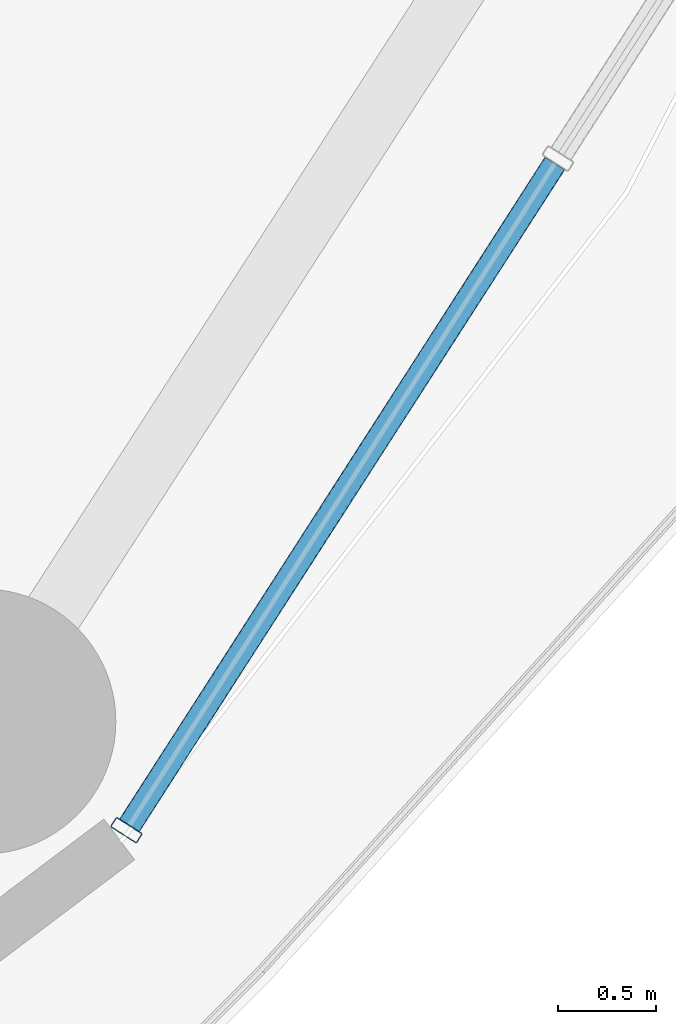
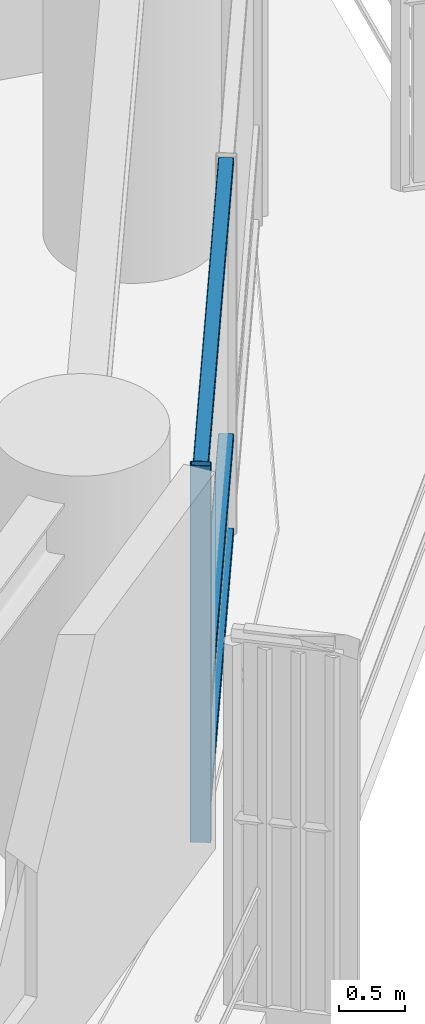
# One storey, part 12 of 35: 4 members, 1 element without a shape of its own.
"""IFC4 building model written with IfcOpenShell, lengths in metres."""

from ifc_helpers import new_model, si_unit, direction, frame, origin, origin_2d, place, context, subcontext, project, spatial, hollow_rectangle, extrude, material, layer, layer_set, material_profile, profile_set, type_object, element, aggregate, save


model = new_model("IFC4")

# Units and contexts
model_context = context("Model", 3, precision=1e-05, world=origin(), true_north=direction((0.0, 1.0)))
body_context = subcontext(model_context, "Body", "Model", "MODEL_VIEW")
ifc_project = project(units=[si_unit("LENGTHUNIT", "METRE"), si_unit("AREAUNIT", "SQUARE_METRE"), si_unit("VOLUMEUNIT", "CUBIC_METRE"), si_unit("PLANEANGLEUNIT", "RADIAN"), si_unit("MASSUNIT", "GRAM", prefix="KILO")], contexts=[model_context])

# Site, building, storey
site_placement = place(None, origin())
site = spatial("IfcSite", under=ifc_project, at=site_placement, CompositionType="ELEMENT")
building_placement = place(site_placement, origin())
building = spatial("IfcBuilding", under=site, at=building_placement, Name="Kelanora Arch Commons", CompositionType="ELEMENT")
storey_placement = place(building_placement, frame((0.0, 0.0, 121.35009765625)))
storey = spatial("IfcBuildingStorey", under=building, at=storey_placement, Name="L31", CompositionType="ELEMENT", Elevation=121.35009765625)

# Curtain wall, members
ifc_material_1 = material(Name="Terracotta ceramic-fritted low-E glass and aluminium", Category="masonry")
ifc_layer = layer(ifc_material_1, 0.159912109375)
ifc_layer_set = layer_set([ifc_layer], Name="Terracotta ceramic-fritted low-E glass and aluminium")
curtain_wall_type = type_object("IfcCurtainWallType", Name="CW-SYS-01", PredefinedType="NOTDEFINED", material=ifc_layer_set)
curtain_wall_placement = place(storey_placement, origin())
curtain_wall = element("IfcCurtainWall", 1, at=curtain_wall_placement, inside=storey, type_object=curtain_wall_type, Name="Unitised Curtain Wall L31-B16", PredefinedType="NOTDEFINED")
ifc_material_2 = material(Name="Powder-coated aluminium terracotta", Category="masonry")
ifc_material_profile_1 = material_profile(ifc_material_2, hollow_rectangle(XDim=0.159912109375, YDim=0.06005859375, WallThickness=0.0048828125, InnerFilletRadius=0.0048828125, OuterFilletRadius=0.010009765625, at=origin_2d()), Name="CWM160x60")
ifc_profile_set_1 = profile_set([ifc_material_profile_1], Name="Powder-coated aluminium terracotta")
member_type_1 = type_object("IfcMemberType", Name="CWM-STD", PredefinedType="MULLION", material=ifc_profile_set_1)
member_1_placement = place(storey_placement, frame((93.635009765625, 43.253662109375, 0.0), z_axis=(0.0, 0.0, 1.0), x_axis=(-0.841268883088, 0.540616931244, 0.0)))
member_1 = element("IfcMember", 2, at=member_1_placement, type_object=member_type_1, Name="CW-01 mullion 1", PredefinedType="MULLION", context=body_context, shape_type="SweptSolid", body=[
    extrude(hollow_rectangle(XDim=0.159912109375, YDim=0.06005859375, WallThickness=0.0048828125, InnerFilletRadius=0.0048828125, OuterFilletRadius=0.010009765625, at=origin_2d()), origin(), (0.0, 0.0, 1.0), 3.474853515625),
])
ifc_material_profile_2 = material_profile(ifc_material_2, hollow_rectangle(XDim=0.1201171875, YDim=0.06005859375, WallThickness=0.0048828125, InnerFilletRadius=0.0048828125, OuterFilletRadius=0.010009765625, at=origin_2d()), Name="CWT120x60")
ifc_profile_set_2 = profile_set([ifc_material_profile_2], Name="Powder-coated aluminium terracotta")
member_type_2 = type_object("IfcMemberType", Name="CWT-STD", PredefinedType="USERDEFINED", material=ifc_profile_set_2)
member_2_placement = place(storey_placement, frame((93.651123046875, 43.279052734375, 0.02978515625), z_axis=(0.540643629734, 0.841251725483, 0.0), x_axis=(-0.841251725483, 0.540643629734, 0.0)))
member_2 = element("IfcMember", 3, at=member_2_placement, type_object=member_type_2, Name="CW-01 transom 1.1", ObjectType="TRANSOM", PredefinedType="USERDEFINED", context=body_context, shape_type="SweptSolid", body=[
    extrude(hollow_rectangle(XDim=0.1201171875, YDim=0.06005859375, WallThickness=0.0048828125, InnerFilletRadius=0.0048828125, OuterFilletRadius=0.010009765625, at=origin_2d()), origin(), (0.0, 0.0, 1.0), 4.00634765625),
])
member_3_placement = place(storey_placement, frame((93.651123046875, 43.279052734375, 0.89990234375), z_axis=(0.540643629734, 0.841251725483, 0.0), x_axis=(-0.841251725483, 0.540643629734, 0.0)))
member_3 = element("IfcMember", 4, at=member_3_placement, type_object=member_type_2, Name="CW-01 transom 1.2", ObjectType="TRANSOM", PredefinedType="USERDEFINED", context=body_context, shape_type="SweptSolid", body=[
    extrude(hollow_rectangle(XDim=0.1201171875, YDim=0.06005859375, WallThickness=0.0048828125, InnerFilletRadius=0.0048828125, OuterFilletRadius=0.010009765625, at=origin_2d()), origin(), (0.0, 0.0, 1.0), 4.00634765625),
])
member_4_placement = place(storey_placement, frame((93.651123046875, 43.279052734375, 3.44482421875), z_axis=(0.540643629734, 0.841251725483, 0.0), x_axis=(-0.841251725483, 0.540643629734, 0.0)))
member_4 = element("IfcMember", 5, at=member_4_placement, type_object=member_type_2, Name="CW-01 transom 1.3", ObjectType="TRANSOM", PredefinedType="USERDEFINED", context=body_context, shape_type="SweptSolid", body=[
    extrude(hollow_rectangle(XDim=0.1201171875, YDim=0.06005859375, WallThickness=0.0048828125, InnerFilletRadius=0.0048828125, OuterFilletRadius=0.010009765625, at=origin_2d()), origin(), (0.0, 0.0, 1.0), 4.00634765625),
])
aggregate(curtain_wall, [member_1, member_2, member_3, member_4])

save(model, "model.ifc")
